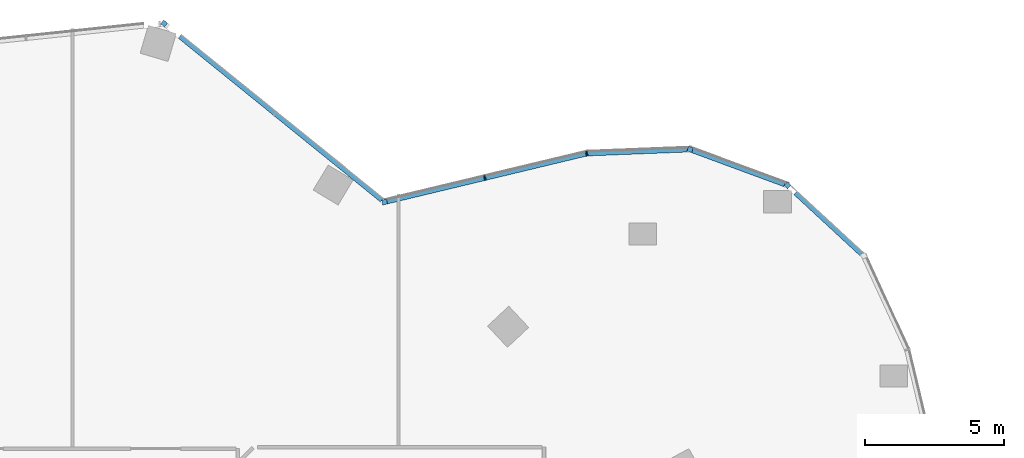
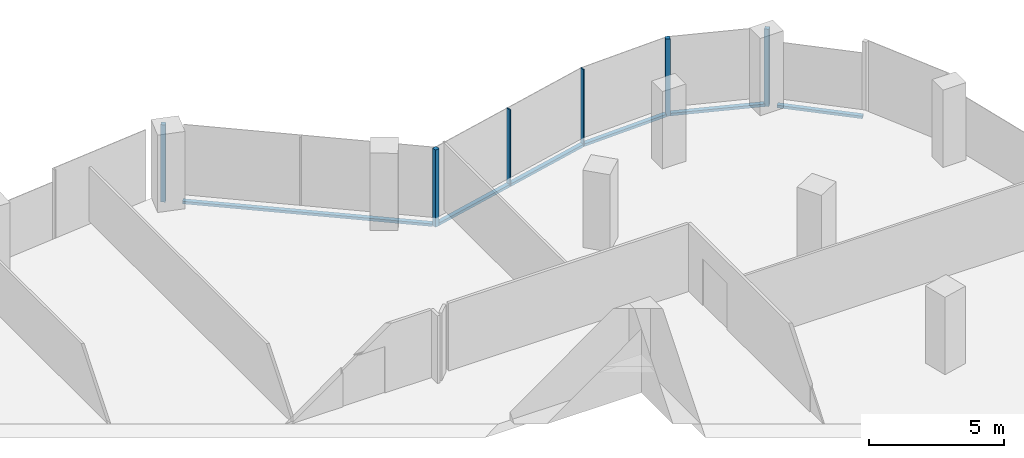
# One storey, part 12 of 23: 11 members, 5 elements without a shape of their own.
"""IFC4 building model written with IfcOpenShell, lengths in metres."""

from ifc_helpers import new_model, si_unit, direction, frame, origin, origin_2d, place, context, subcontext, project, spatial, rectangle, extrude, material, material_profile, profile_set, type_object, element, aggregate, save


model = new_model("IFC4")

# Units and contexts
model_context = context("Model", 3, precision=1e-05, world=origin(), true_north=direction((0.0, 1.0)))
body_context = subcontext(model_context, "Body", "Model", "MODEL_VIEW")
ifc_project = project(units=[si_unit("LENGTHUNIT", "METRE"), si_unit("AREAUNIT", "SQUARE_METRE"), si_unit("VOLUMEUNIT", "CUBIC_METRE"), si_unit("PLANEANGLEUNIT", "RADIAN"), si_unit("MASSUNIT", "GRAM", prefix="KILO")], contexts=[model_context])

# Site, building, storey
site_placement = place(None, origin())
site = spatial("IfcSite", under=ifc_project, at=site_placement, CompositionType="ELEMENT")
building_placement = place(site_placement, origin())
building = spatial("IfcBuilding", under=site, at=building_placement, Name="Orlundy Tower", CompositionType="ELEMENT")
storey_placement = place(building_placement, frame((0.0, 0.0, 224.5)))
storey = spatial("IfcBuildingStorey", under=building, at=storey_placement, Name="L59", CompositionType="ELEMENT", Elevation=224.5)

# Curtain wall, member
ifc_material_1 = material(Name="Aluminium bronze anodised", Category="aluminium")
curtain_wall_type = type_object("IfcCurtainWallType", Name="CW1 wall", PredefinedType="NOTDEFINED", material=ifc_material_1)
curtain_wall_1_placement = place(storey_placement, origin())
curtain_wall_1 = element("IfcCurtainWall", 1, at=curtain_wall_1_placement, inside=storey, type_object=curtain_wall_type, Name="CW1 run 05", PredefinedType="NOTDEFINED")
ifc_material_2 = material(Name="Aluminium bronze anodised", Category="aluminium")
ifc_material_profile_1 = material_profile(ifc_material_2, rectangle(XDim=0.179931640625, YDim=0.179931640625, at=origin_2d()), Name="CW1 corner post 180x180")
ifc_profile_set_1 = profile_set([ifc_material_profile_1], Name="Aluminium bronze anodised")
member_type_1 = type_object("IfcMemberType", Name="CW1 corner post 180x180", PredefinedType="MULLION", material=ifc_profile_set_1)
member_1_placement = place(storey_placement, frame((9.249755859375, 31.228515625, -0.419921875), z_axis=(0.0, 0.0, 1.0), x_axis=(0.629341524139, 0.777128847743, 0.0)))
member_1 = element("IfcMember", 2, at=member_1_placement, type_object=member_type_1, Name="CW1 mullion 20", PredefinedType="MULLION", context=body_context, shape_type="SweptSolid", body=[
    extrude(rectangle(XDim=0.179931640625, YDim=0.179931640625, at=origin_2d()), origin(), (0.0, 0.0, 1.0), 3.5),
])

curtain_wall_2_placement = place(storey_placement, origin())
curtain_wall_2 = element("IfcCurtainWall", 3, at=curtain_wall_2_placement, inside=storey, type_object=curtain_wall_type, Name="CW1 run 06", PredefinedType="NOTDEFINED")
member_2_placement = place(storey_placement, frame((17.2001953125, 24.789794921875, -0.419921875), z_axis=(0.0, 0.0, 1.0), x_axis=(-0.233528608579, 0.972349931339, 0.0)))
member_2 = element("IfcMember", 4, at=member_2_placement, type_object=member_type_1, Name="CW1 mullion 22", PredefinedType="MULLION", context=body_context, shape_type="SweptSolid", body=[
    extrude(rectangle(XDim=0.179931640625, YDim=0.179931640625, at=origin_2d()), origin(), (0.0, 0.0, 1.0), 3.5),
])

curtain_wall_3_placement = place(storey_placement, origin())
curtain_wall_3 = element("IfcCurtainWall", 5, at=curtain_wall_3_placement, inside=storey, type_object=curtain_wall_type, Name="CW1 run 08", PredefinedType="NOTDEFINED")
member_3_placement = place(storey_placement, frame((28.220458984375, 26.6865234375, -0.419921875), z_axis=(0.0, 0.0, 1.0), x_axis=(0.346092852283, 0.938200265188, 0.0)))
member_3 = element("IfcMember", 6, at=member_3_placement, type_object=member_type_1, Name="CW1 mullion 25", PredefinedType="MULLION", context=body_context, shape_type="SweptSolid", body=[
    extrude(rectangle(XDim=0.179931640625, YDim=0.179931640625, at=origin_2d()), origin(), (0.0, 0.0, 1.0), 3.5),
])

curtain_wall_4_placement = place(storey_placement, origin())
curtain_wall_4 = element("IfcCurtainWall", 7, at=curtain_wall_4_placement, inside=storey, type_object=curtain_wall_type, Name="CW1 run 09", PredefinedType="NOTDEFINED")
member_4_placement = place(storey_placement, frame((31.73193359375, 25.391357421875, -0.419921875), z_axis=(0.0, 0.0, 1.0), x_axis=(0.678772971258, 0.734348182738, 0.0)))
member_4 = element("IfcMember", 8, at=member_4_placement, type_object=member_type_1, Name="CW1 mullion 26", PredefinedType="MULLION", context=body_context, shape_type="SweptSolid", body=[
    extrude(rectangle(XDim=0.179931640625, YDim=0.179931640625, at=origin_2d()), origin(), (0.0, 0.0, 1.0), 3.5),
])

# Member
ifc_material_3 = material(Name="Aluminium bronze anodised", Category="aluminium")
ifc_material_profile_2 = material_profile(ifc_material_3, rectangle(XDim=0.179931640625, YDim=0.050048828125, at=origin_2d()), Name="CW1 mullion 50x180")
ifc_profile_set_2 = profile_set([ifc_material_profile_2], Name="Aluminium bronze anodised")
member_type_2 = type_object("IfcMemberType", Name="CW1 mullion 50x180", PredefinedType="MULLION", material=ifc_profile_set_2)
member_5_placement = place(storey_placement, frame((20.819091796875, 25.658935546875, -0.419921875), z_axis=(0.0, 0.0, 1.0), x_axis=(-0.233528608579, 0.972349931339, 0.0)))
member_5 = element("IfcMember", 9, at=member_5_placement, type_object=member_type_2, Name="CW1 mullion 23", PredefinedType="MULLION", context=body_context, shape_type="SweptSolid", body=[
    extrude(rectangle(XDim=0.179931640625, YDim=0.050048828125, at=origin_2d()), origin(), (0.0, 0.0, 1.0), 3.5),
])

# Curtain wall, member
curtain_wall_5_placement = place(storey_placement, origin())
curtain_wall_5 = element("IfcCurtainWall", 10, at=curtain_wall_5_placement, inside=storey, type_object=curtain_wall_type, Name="CW1 run 07", PredefinedType="NOTDEFINED")
member_6_placement = place(storey_placement, frame((24.489501953125, 26.54052734375, -0.419921875), z_axis=(0.0, 0.0, 1.0), x_axis=(-0.136983908445, 0.990573272821, 0.0)))
member_6 = element("IfcMember", 11, at=member_6_placement, type_object=member_type_2, Name="CW1 mullion 24", PredefinedType="MULLION", context=body_context, shape_type="SweptSolid", body=[
    extrude(rectangle(XDim=0.179931640625, YDim=0.050048828125, at=origin_2d()), origin(), (0.0, 0.0, 1.0), 3.5),
])

# Member
ifc_material_4 = material(Name="Aluminium bronze anodised", Category="aluminium")
ifc_material_profile_3 = material_profile(ifc_material_4, rectangle(XDim=0.179931640625, YDim=0.1201171875, at=origin_2d()), Name="CW1 transom 180x120")
ifc_profile_set_3 = profile_set([ifc_material_profile_3], Name="Aluminium bronze anodised")
member_type_3 = type_object("IfcMemberType", Name="CW1 transom 180x120", PredefinedType="USERDEFINED", material=ifc_profile_set_3)
member_7_placement = place(storey_placement, frame((9.81787109375, 30.768310546875, -0.360107421875), z_axis=(0.777132191198, -0.629337395523, 0.0), x_axis=(0.629337395523, 0.777132191198, 0.0)))
member_7 = element("IfcMember", 12, at=member_7_placement, type_object=member_type_3, Name="CW1 transom", ObjectType="TRANSOM", PredefinedType="USERDEFINED", context=body_context, shape_type="SweptSolid", body=[
    extrude(rectangle(XDim=0.179931640625, YDim=0.1201171875, at=origin_2d()), origin(), (0.0, 0.0, 1.0), 9.385986328125),
])

aggregate(curtain_wall_1, [member_1, member_7])

member_8_placement = place(storey_placement, frame((17.28759765625, 24.810791015625, -0.360107421875), z_axis=(0.972347959414, 0.233536818988, 0.0), x_axis=(-0.233536818988, 0.972347959414, 0.0)))
member_8 = element("IfcMember", 13, at=member_8_placement, type_object=member_type_3, Name="CW1 transom", ObjectType="TRANSOM", PredefinedType="USERDEFINED", context=body_context, shape_type="SweptSolid", body=[
    extrude(rectangle(XDim=0.179931640625, YDim=0.1201171875, at=origin_2d()), origin(), (0.0, 0.0, 1.0), 7.381591796875),
])

aggregate(curtain_wall_2, [member_2, member_5, member_8])

member_9_placement = place(storey_placement, frame((24.5146484375, 26.54150390625, -0.360107421875), z_axis=(0.999233558965, 0.039144535226, 0.0), x_axis=(-0.039144535226, 0.999233558965, 0.0)))
member_9 = element("IfcMember", 14, at=member_9_placement, type_object=member_type_3, Name="CW1 transom", ObjectType="TRANSOM", PredefinedType="USERDEFINED", context=body_context, shape_type="SweptSolid", body=[
    extrude(rectangle(XDim=0.179931640625, YDim=0.1201171875, at=origin_2d()), origin(), (0.0, 0.0, 1.0), 3.611083984375),
])

aggregate(curtain_wall_5, [member_6, member_9])

member_10_placement = place(storey_placement, frame((28.3046875, 26.655517578125, -0.360107421875), z_axis=(0.938211752015, -0.346061711809, 0.0), x_axis=(0.346061711809, 0.938211752015, 0.0)))
member_10 = element("IfcMember", 15, at=member_10_placement, type_object=member_type_3, Name="CW1 transom", ObjectType="TRANSOM", PredefinedType="USERDEFINED", context=body_context, shape_type="SweptSolid", body=[
    extrude(rectangle(XDim=0.179931640625, YDim=0.1201171875, at=origin_2d()), origin(), (0.0, 0.0, 1.0), 3.5556640625),
])

aggregate(curtain_wall_3, [member_3, member_10])

member_11_placement = place(storey_placement, frame((32.02001953125, 25.125, -0.360107421875), z_axis=(0.734331359819, -0.678791171117, 0.0), x_axis=(0.678791171117, 0.734331359819, 0.0)))
member_11 = element("IfcMember", 16, at=member_11_placement, type_object=member_type_3, Name="CW1 transom", ObjectType="TRANSOM", PredefinedType="USERDEFINED", context=body_context, shape_type="SweptSolid", body=[
    extrude(rectangle(XDim=0.179931640625, YDim=0.1201171875, at=origin_2d()), origin(), (0.0, 0.0, 1.0), 3.2529296875),
])

aggregate(curtain_wall_4, [member_4, member_11])

save(model, "model.ifc")
